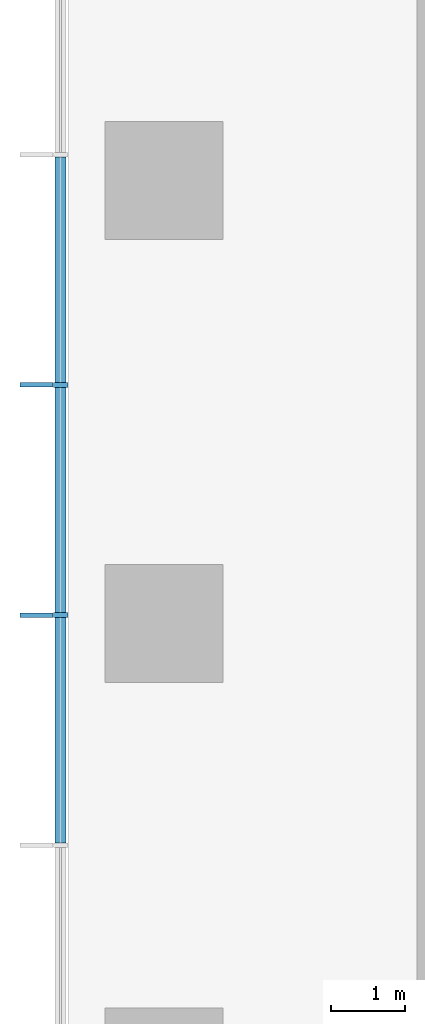
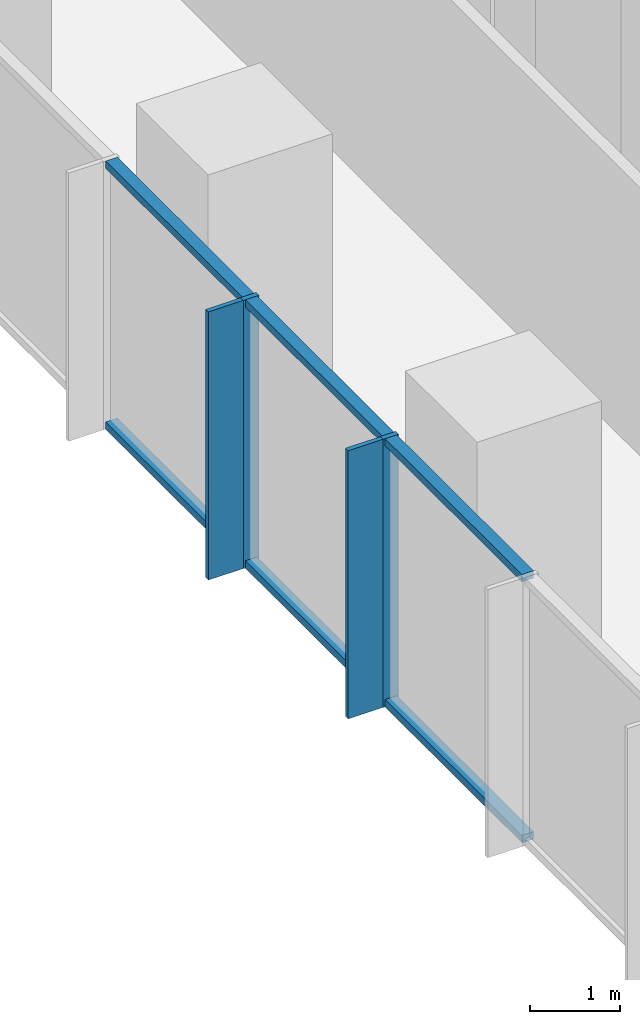
# One storey, part 3 of 11: 10 members, 1 element without a shape of its own.
"""IFC4 building model written with IfcOpenShell, lengths in metres."""

from ifc_helpers import new_model, si_unit, direction, frame, origin, origin_2d, place, context, subcontext, project, spatial, rectangle, extrude, material, layer, layer_set, material_profile, profile_set, type_object, element, aggregate, save


model = new_model("IFC4")

# Units and contexts
model_context = context("Model", 3, precision=1e-05, world=origin(), true_north=direction((0.0, 1.0)))
body_context = subcontext(model_context, "Body", "Model", "MODEL_VIEW")
ifc_project = project(units=[si_unit("LENGTHUNIT", "METRE"), si_unit("AREAUNIT", "SQUARE_METRE"), si_unit("VOLUMEUNIT", "CUBIC_METRE"), si_unit("PLANEANGLEUNIT", "RADIAN"), si_unit("MASSUNIT", "GRAM", prefix="KILO")], contexts=[model_context])

# Site, building, storey
site_placement = place(None, origin())
site = spatial("IfcSite", under=ifc_project, at=site_placement, CompositionType="ELEMENT")
building_placement = place(site_placement, origin())
building = spatial("IfcBuilding", under=site, at=building_placement, Name="Highveld Stack Headquarters", CompositionType="ELEMENT")
storey_placement = place(building_placement, frame((0.0, 0.0, 185.0)))
storey = spatial("IfcBuildingStorey", under=building, at=storey_placement, Name="L45", CompositionType="ELEMENT", Elevation=185.0)

# Curtain wall, members
ifc_material_1 = material(Name="Aluminium bronze anodised", Category="aluminium")
ifc_layer = layer(ifc_material_1, 0.199951171875)
ifc_layer_set = layer_set([ifc_layer], Name="Aluminium bronze anodised")
curtain_wall_type = type_object("IfcCurtainWallType", Name="CW1 TOWER UNITISED CURTAIN WALL", PredefinedType="NOTDEFINED", material=ifc_layer_set)
curtain_wall_placement = place(storey_placement, origin())
curtain_wall = element("IfcCurtainWall", 1, at=curtain_wall_placement, inside=storey, type_object=curtain_wall_type, Name="Curtain wall CW1 L45 W", PredefinedType="NOTDEFINED")
ifc_material_2 = material(Name="Aluminium bronze anodised", Category="aluminium")
ifc_material_profile_1 = material_profile(ifc_material_2, rectangle(XDim=0.449951171875, YDim=0.06005859375, at=origin_2d()), Name="FIN 450x60")
ifc_profile_set_1 = profile_set([ifc_material_profile_1], Name="Aluminium bronze anodised")
member_type_1 = type_object("IfcMemberType", Name="CW1 BRONZE FIN 450x60", PredefinedType="USERDEFINED", material=ifc_profile_set_1)
member_1_placement = place(storey_placement, frame((-13.72509765625, 15.23193359375, 0.0), z_axis=(0.0, 0.0, 1.0), x_axis=(1.0, 0.0, 0.0)))
member_1 = element("IfcMember", 2, at=member_1_placement, type_object=member_type_1, Name="CW1 fin L45 4", ObjectType="FIN", PredefinedType="USERDEFINED", context=body_context, shape_type="SweptSolid", body=[
    extrude(rectangle(XDim=0.449951171875, YDim=0.06005859375, at=origin_2d()), origin(), (0.0, 0.0, 1.0), 3.64990234375),
])
member_2_placement = place(storey_placement, frame((-13.72509765625, 12.115966796875, 0.0), z_axis=(0.0, 0.0, 1.0), x_axis=(1.0, 0.0, 0.0)))
member_2 = element("IfcMember", 3, at=member_2_placement, type_object=member_type_1, Name="CW1 fin L45 5", ObjectType="FIN", PredefinedType="USERDEFINED", context=body_context, shape_type="SweptSolid", body=[
    extrude(rectangle(XDim=0.449951171875, YDim=0.06005859375, at=origin_2d()), origin(), (0.0, 0.0, 1.0), 3.64990234375),
])
ifc_material_3 = material(Name="Aluminium bronze anodised", Category="aluminium")
ifc_material_profile_2 = material_profile(ifc_material_3, rectangle(XDim=0.199951171875, YDim=0.06494140625, at=origin_2d()), Name="CW1 MULLION 65x200")
ifc_profile_set_2 = profile_set([ifc_material_profile_2], Name="Aluminium bronze anodised")
member_type_2 = type_object("IfcMemberType", Name="CW1 MULLION 65x200", PredefinedType="MULLION", material=ifc_profile_set_2)
member_3_placement = place(storey_placement, frame((-13.39990234375, 15.23193359375, 0.0), z_axis=(0.0, 0.0, 1.0), x_axis=(1.0, 0.0, 0.0)))
member_3 = element("IfcMember", 4, at=member_3_placement, type_object=member_type_2, Name="CW1 mullion L45 4", PredefinedType="MULLION", context=body_context, shape_type="SweptSolid", body=[
    extrude(rectangle(XDim=0.199951171875, YDim=0.06494140625, at=origin_2d()), origin(), (0.0, 0.0, 1.0), 3.64990234375),
])
member_4_placement = place(storey_placement, frame((-13.39990234375, 12.115966796875, 0.0), z_axis=(0.0, 0.0, 1.0), x_axis=(1.0, 0.0, 0.0)))
member_4 = element("IfcMember", 5, at=member_4_placement, type_object=member_type_2, Name="CW1 mullion L45 5", PredefinedType="MULLION", context=body_context, shape_type="SweptSolid", body=[
    extrude(rectangle(XDim=0.199951171875, YDim=0.06494140625, at=origin_2d()), origin(), (0.0, 0.0, 1.0), 3.64990234375),
])
ifc_material_4 = material(Name="Aluminium bronze anodised", Category="aluminium")
ifc_material_profile_3 = material_profile(ifc_material_4, rectangle(XDim=0.14990234375, YDim=0.10009765625, at=origin_2d()), Name="CW1 TRANSOM 150x100")
ifc_profile_set_3 = profile_set([ifc_material_profile_3], Name="Aluminium bronze anodised")
member_type_3 = type_object("IfcMemberType", Name="CW1 STACK TRANSOM 150x100", PredefinedType="USERDEFINED", material=ifc_profile_set_3)
member_5_placement = place(storey_placement, frame((-13.39990234375, 18.3154296875, 0.050048828125), z_axis=(0.0, -1.0, 0.0), x_axis=(1.0, 0.0, 0.0)))
member_5 = element("IfcMember", 6, at=member_5_placement, type_object=member_type_3, Name="CW1 transom L45 3.1", ObjectType="TRANSOM", PredefinedType="USERDEFINED", context=body_context, shape_type="SweptSolid", body=[
    extrude(rectangle(XDim=0.14990234375, YDim=0.10009765625, at=origin_2d()), origin(), (0.0, 0.0, 1.0), 3.051025390625),
])
member_6_placement = place(storey_placement, frame((-13.39990234375, 18.3154296875, 3.60009765625), z_axis=(0.0, -1.0, 0.0), x_axis=(1.0, 0.0, 0.0)))
member_6 = element("IfcMember", 7, at=member_6_placement, type_object=member_type_3, Name="CW1 transom L45 3.2", ObjectType="TRANSOM", PredefinedType="USERDEFINED", context=body_context, shape_type="SweptSolid", body=[
    extrude(rectangle(XDim=0.14990234375, YDim=0.10009765625, at=origin_2d()), origin(), (0.0, 0.0, 1.0), 3.051025390625),
])
member_7_placement = place(storey_placement, frame((-13.39990234375, 15.199462890625, 0.050048828125), z_axis=(0.0, -1.0, 0.0), x_axis=(1.0, 0.0, 0.0)))
member_7 = element("IfcMember", 8, at=member_7_placement, type_object=member_type_3, Name="CW1 transom L45 4.1", ObjectType="TRANSOM", PredefinedType="USERDEFINED", context=body_context, shape_type="SweptSolid", body=[
    extrude(rectangle(XDim=0.14990234375, YDim=0.10009765625, at=origin_2d()), origin(), (0.0, 0.0, 1.0), 3.051025390625),
])
member_8_placement = place(storey_placement, frame((-13.39990234375, 15.199462890625, 3.60009765625), z_axis=(0.0, -1.0, 0.0), x_axis=(1.0, 0.0, 0.0)))
member_8 = element("IfcMember", 9, at=member_8_placement, type_object=member_type_3, Name="CW1 transom L45 4.2", ObjectType="TRANSOM", PredefinedType="USERDEFINED", context=body_context, shape_type="SweptSolid", body=[
    extrude(rectangle(XDim=0.14990234375, YDim=0.10009765625, at=origin_2d()), origin(), (0.0, 0.0, 1.0), 3.051025390625),
])
member_9_placement = place(storey_placement, frame((-13.39990234375, 12.08349609375, 0.050048828125), z_axis=(0.0, -1.0, 0.0), x_axis=(1.0, 0.0, 0.0)))
member_9 = element("IfcMember", 10, at=member_9_placement, type_object=member_type_3, Name="CW1 transom L45 5.1", ObjectType="TRANSOM", PredefinedType="USERDEFINED", context=body_context, shape_type="SweptSolid", body=[
    extrude(rectangle(XDim=0.14990234375, YDim=0.10009765625, at=origin_2d()), origin(), (0.0, 0.0, 1.0), 3.051025390625),
])
member_10_placement = place(storey_placement, frame((-13.39990234375, 12.08349609375, 3.60009765625), z_axis=(0.0, -1.0, 0.0), x_axis=(1.0, 0.0, 0.0)))
member_10 = element("IfcMember", 11, at=member_10_placement, type_object=member_type_3, Name="CW1 transom L45 5.2", ObjectType="TRANSOM", PredefinedType="USERDEFINED", context=body_context, shape_type="SweptSolid", body=[
    extrude(rectangle(XDim=0.14990234375, YDim=0.10009765625, at=origin_2d()), origin(), (0.0, 0.0, 1.0), 3.051025390625),
])
aggregate(curtain_wall, [member_3, member_1, member_4, member_2, member_5, member_6, member_7, member_8, member_9, member_10])

save(model, "model.ifc")
